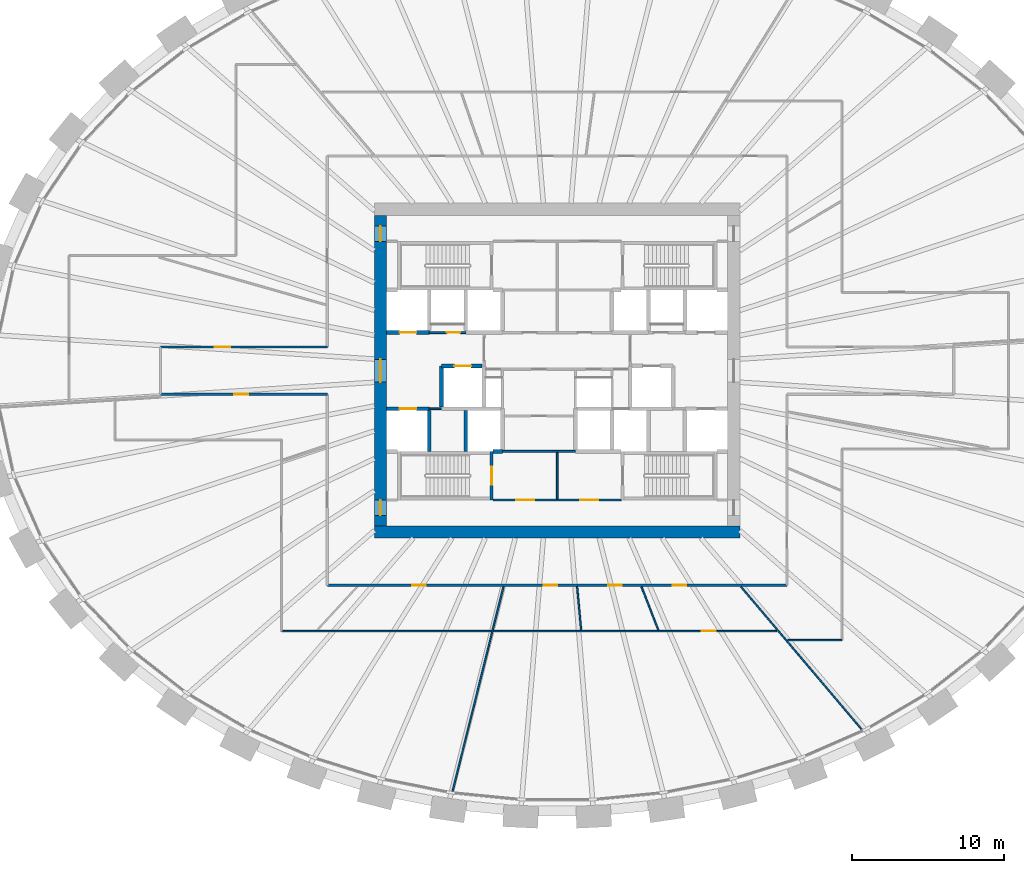
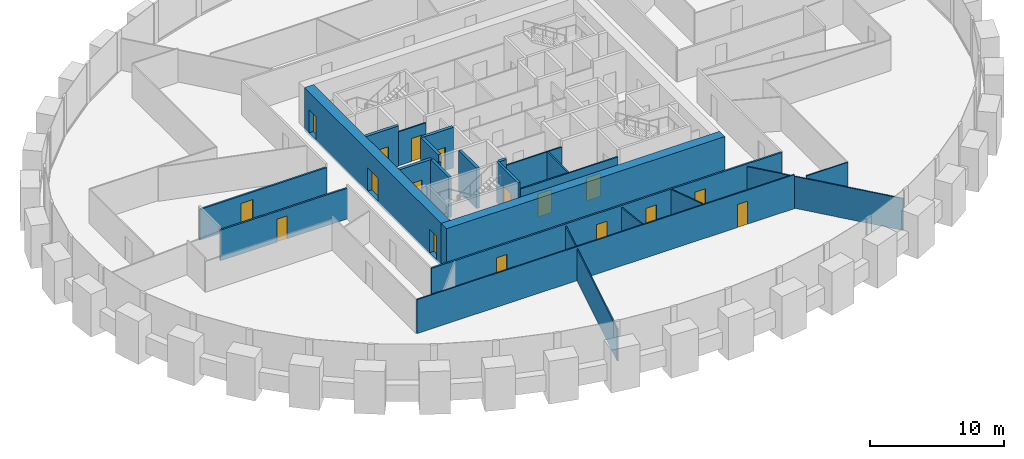
# One storey, part 6 of 10: 24 walls, 17 doors, 17 openings.
"""IFC4 building model written with IfcOpenShell, lengths in metres."""

from ifc_helpers import new_model, si_unit, direction, frame, frame_2d, origin, place, context, subcontext, project, spatial, rectangle, extrude, source, transform, mapped, material, layer, layer_set, type_object, element, fill, save


model = new_model("IFC4")

# Units and contexts
model_context = context("Model", 3, precision=1e-05, world=origin(), true_north=direction((0.0, 1.0)))
body_context = subcontext(model_context, "Body", "Model", "MODEL_VIEW")
ifc_project = project(units=[si_unit("LENGTHUNIT", "METRE"), si_unit("AREAUNIT", "SQUARE_METRE"), si_unit("VOLUMEUNIT", "CUBIC_METRE"), si_unit("PLANEANGLEUNIT", "RADIAN"), si_unit("MASSUNIT", "GRAM", prefix="KILO")], contexts=[model_context])

# Site, building, storey
site_placement = place(None, origin())
site = spatial("IfcSite", under=ifc_project, at=site_placement, CompositionType="ELEMENT")
building_placement = place(site_placement, origin())
building = spatial("IfcBuilding", under=site, at=building_placement, Name="Embergate Tower", CompositionType="ELEMENT")
storey_placement = place(building_placement, frame((0.0, 0.0, 152.10009765625)))
storey = spatial("IfcBuildingStorey", under=building, at=storey_placement, Name="L33", CompositionType="ELEMENT", Elevation=152.10009765625)

# Wall
ifc_material_1 = material(Name="Concrete C70", Category="concrete")
ifc_layer_1 = layer(ifc_material_1, 0.800048828125)
ifc_layer_set_1 = layer_set([ifc_layer_1], Name="Concrete C70")
wall_type_1 = type_object("IfcWallType", Name="Core outer wall C70 800", PredefinedType="SHEAR", material=ifc_layer_set_1)
shared_shape_1 = source(origin(), body_context, "Body", "SweptSolid", [
    extrude(rectangle(XDim=24.0, YDim=0.800048828125, at=frame_2d((12.0, 0.0))), origin(), (0.0, 0.0, 1.0), 3.900146484375),
])
wall_1_placement = place(storey_placement, frame((-12.0, -10.60009765625, -0.2001953125), z_axis=(0.0, 0.0, 1.0), x_axis=(1.0, 0.0, 0.0)))
element("IfcWall", 1, at=wall_1_placement, inside=storey, type_object=wall_type_1, Name="CW-L33-S", PredefinedType="SHEAR", context=body_context, shape_type="MappedRepresentation", body=[
    mapped(shared_shape_1, transform((0.0, 0.0, 0.0))),
])

# Wall, openings, doors
shared_shape_2 = source(origin(), body_context, "Body", "SweptSolid", [
    extrude(rectangle(XDim=20.39990234375, YDim=0.800048828125, at=frame_2d((10.199951171875, 0.0))), origin(), (0.0, 0.0, 1.0), 3.900146484375),
])
wall_2_placement = place(storey_placement, frame((-11.60009765625, -10.199951171875, -0.2001953125), z_axis=(0.0, 0.0, 1.0), x_axis=(0.0, 1.0, 0.0)))
wall_2 = element("IfcWall", 2, at=wall_2_placement, inside=storey, type_object=wall_type_1, Name="CW-L33-W", PredefinedType="SHEAR", context=body_context, shape_type="MappedRepresentation", body=[
    mapped(shared_shape_2, transform((0.0, 0.0, 0.0))),
])
shared_shape_3 = source(origin(), body_context, "Body", "SweptSolid", [
    extrude(rectangle(XDim=1.0, YDim=2.10009765625, at=frame_2d((0.5, 1.050048828125))), frame((0.0, 0.409912109375, 0.0), z_axis=(0.0, -1.0, 0.0), x_axis=(1.0, 0.0, 0.0)), (0.0, 0.0, 1.0), 0.820068359375),
])
opening_1_placement = place(wall_2_placement, frame((18.699951171875, 0.0, 0.199951171875)))
opening_1 = element("IfcOpeningElement", 3, at=opening_1_placement, cuts=wall_2, Name="Opening IF-1d", PredefinedType="OPENING", context=body_context, shape_type="MappedRepresentation", body=[
    mapped(shared_shape_3, transform((0.0, 0.0, 0.0))),
])
opening_2_placement = place(wall_2_placement, frame((0.699951171875, 0.0, 0.199951171875)))
opening_2 = element("IfcOpeningElement", 4, at=opening_2_placement, cuts=wall_2, Name="Opening IF-1d", PredefinedType="OPENING", context=body_context, shape_type="MappedRepresentation", body=[
    mapped(shared_shape_3, transform((0.0, 0.0, 0.0))),
])
shared_shape_4 = source(origin(), body_context, "Body", "SweptSolid", [
    extrude(rectangle(XDim=1.5, YDim=2.10009765625, at=frame_2d((0.75, 1.050048828125))), frame((0.0, 0.409912109375, 0.0), z_axis=(0.0, -1.0, 0.0), x_axis=(1.0, 0.0, 0.0)), (0.0, 0.0, 1.0), 0.820068359375),
])
opening_3_placement = place(wall_2_placement, frame((9.449951171875, 0.0, 0.199951171875)))
opening_3 = element("IfcOpeningElement", 5, at=opening_3_placement, cuts=wall_2, Name="Opening IF-3", PredefinedType="OPENING", context=body_context, shape_type="MappedRepresentation", body=[
    mapped(shared_shape_4, transform((0.0, 0.0, 0.0))),
])
ifc_material_2 = material(Name="Lobby fire door pair 1500")
door_type_1 = type_object("IfcDoorType", Name="Lobby fire door pair 1500", OperationType="DOUBLE_DOOR_SINGLE_SWING", PredefinedType="DOOR", material=ifc_material_2)
shared_shape_5 = source(origin(), body_context, "Body", "SweptSolid", [
    extrude(rectangle(XDim=1.5, YDim=2.10009765625, at=frame_2d((0.75, 1.050048828125))), frame((0.0, 0.02490234375, 0.0), z_axis=(0.0, -1.0, 0.0), x_axis=(1.0, 0.0, 0.0)), (0.0, 0.0, 1.0), 0.050048828125),
])
door_1_placement = place(opening_3_placement, origin())
door_1 = element("IfcDoor", 6, at=door_1_placement, inside=storey, type_object=door_type_1, Name="IF-3 door", OperationType="DOUBLE_DOOR_SINGLE_SWING", OverallHeight=2.10009765625, OverallWidth=1.5, PredefinedType="DOOR", context=body_context, shape_type="MappedRepresentation", body=[
    mapped(shared_shape_5, transform((0.0, 0.0, 0.0))),
])
fill(opening_3, door_1)
ifc_material_3 = material(Name="Escape fire door 1000")
door_type_2 = type_object("IfcDoorType", Name="Escape fire door 1000", OperationType="SINGLE_SWING_LEFT", PredefinedType="DOOR", material=ifc_material_3)
shared_shape_6 = source(origin(), body_context, "Body", "SweptSolid", [
    extrude(rectangle(XDim=1.0, YDim=2.10009765625, at=frame_2d((0.5, 1.050048828125))), frame((0.0, 0.02490234375, 0.0), z_axis=(0.0, -1.0, 0.0), x_axis=(1.0, 0.0, 0.0)), (0.0, 0.0, 1.0), 0.050048828125),
])
door_2_placement = place(opening_1_placement, origin())
door_2 = element("IfcDoor", 7, at=door_2_placement, inside=storey, type_object=door_type_2, Name="IF-1 door", OperationType="SINGLE_SWING_RIGHT", OverallHeight=2.10009765625, OverallWidth=1.0, PredefinedType="DOOR", context=body_context, shape_type="MappedRepresentation", body=[
    mapped(shared_shape_6, transform((0.0, 0.0, 0.0))),
])
fill(opening_1, door_2)
door_3_placement = place(opening_2_placement, origin())
door_3 = element("IfcDoor", 8, at=door_3_placement, inside=storey, type_object=door_type_2, Name="IF-1 door", OperationType="SINGLE_SWING_LEFT", OverallHeight=2.10009765625, OverallWidth=1.0, PredefinedType="DOOR", context=body_context, shape_type="MappedRepresentation", body=[
    mapped(shared_shape_6, transform((0.0, 0.0, 0.0))),
])
fill(opening_2, door_3)

# Wall, opening, door
ifc_material_4 = material(Name="Concrete C50", Category="concrete")
ifc_layer_2 = layer(ifc_material_4, 0.25)
ifc_layer_set_2 = layer_set([ifc_layer_2], Name="Concrete C50")
wall_type_2 = type_object("IfcWallType", Name="Hoistway wall reinforced concrete 250", PredefinedType="SHEAR", material=ifc_layer_set_2)
shared_shape_7 = source(origin(), body_context, "Body", "SweptSolid", [
    extrude(rectangle(XDim=2.675048828125, YDim=0.25, at=frame_2d((1.33740234375, 0.0))), origin(), (0.0, 0.0, 1.0), 3.699951171875),
])
wall_3_placement = place(storey_placement, frame((-4.925048828125, 0.300048828125, 0.0), z_axis=(0.0, 0.0, 1.0), x_axis=(-1.0, 0.0, 0.0)))
wall_3 = element("IfcWall", 9, at=wall_3_placement, inside=storey, type_object=wall_type_2, Name="HW-1 wall", PredefinedType="SHEAR", context=body_context, shape_type="MappedRepresentation", body=[
    mapped(shared_shape_7, transform((0.0, 0.0, 0.0))),
])
shared_shape_8 = source(origin(), body_context, "Body", "SweptSolid", [
    extrude(rectangle(XDim=1.10009765625, YDim=2.10009765625, at=frame_2d((0.550048828125, 1.050048828125))), frame((0.0, 0.135009765625, 0.0), z_axis=(0.0, -1.0, 0.0), x_axis=(1.0, 0.0, 0.0)), (0.0, 0.0, 1.0), 0.27001953125),
])
opening_4_placement = place(wall_3_placement, frame((0.72509765625, 0.0, 0.0)))
opening_4 = element("IfcOpeningElement", 10, at=opening_4_placement, cuts=wall_3, Name="Opening LD", PredefinedType="OPENING", context=body_context, shape_type="MappedRepresentation", body=[
    mapped(shared_shape_8, transform((0.0, 0.0, 0.0))),
])
ifc_material_5 = material(Name="Landing door sliding 1100")
door_type_3 = type_object("IfcDoorType", Name="Landing door sliding 1100", OperationType="SLIDING_TO_LEFT", PredefinedType="DOOR", material=ifc_material_5)
shared_shape_9 = source(origin(), body_context, "Body", "SweptSolid", [
    extrude(rectangle(XDim=1.10009765625, YDim=2.10009765625, at=frame_2d((0.550048828125, 1.050048828125))), frame((0.0, 0.02490234375, 0.0), z_axis=(0.0, -1.0, 0.0), x_axis=(1.0, 0.0, 0.0)), (0.0, 0.0, 1.0), 0.050048828125),
])
door_4_placement = place(opening_4_placement, origin())
door_4 = element("IfcDoor", 11, at=door_4_placement, inside=storey, type_object=door_type_3, Name="LD door", OperationType="SLIDING_TO_LEFT", OverallHeight=2.10009765625, OverallWidth=1.10009765625, PredefinedType="DOOR", context=body_context, shape_type="MappedRepresentation", body=[
    mapped(shared_shape_9, transform((0.0, 0.0, 0.0))),
])
fill(opening_4, door_4)

# Wall
wall_4_placement = place(storey_placement, frame((-7.60009765625, 0.300048828125, 0.0), z_axis=(0.0, 0.0, 1.0), x_axis=(0.0, -1.0, 0.0)))
element("IfcWall", 12, at=wall_4_placement, inside=storey, type_object=wall_type_2, Name="HW-1 wall", PredefinedType="SHEAR", context=body_context, shape_type="MappedRepresentation", body=[
    mapped(shared_shape_7, transform((0.0, 0.0, 0.0))),
])

# Wall, opening, door
ifc_layer_3 = layer(ifc_material_4, 0.199951171875)
ifc_layer_set_3 = layer_set([ifc_layer_3], Name="Concrete C50")
wall_type_3 = type_object("IfcWallType", Name="Stair enclosure wall reinforced concrete 250", PredefinedType="SHEAR", material=ifc_layer_set_3)
shared_shape_10 = source(origin(), body_context, "Body", "SweptSolid", [
    extrude(rectangle(XDim=3.199951171875, YDim=0.199951171875, at=frame_2d((1.60009765625, 0.0))), origin(), (0.0, 0.0, 1.0), 3.699951171875),
])
wall_5_placement = place(storey_placement, frame((-4.300048828125, -8.5, 0.0), z_axis=(0.0, 0.0, 1.0), x_axis=(0.0, 1.0, 0.0)))
wall_5 = element("IfcWall", 13, at=wall_5_placement, inside=storey, type_object=wall_type_3, Name="SE-1 wall", PredefinedType="SHEAR", context=body_context, shape_type="MappedRepresentation", body=[
    mapped(shared_shape_10, transform((0.0, 0.0, 0.0))),
])
shared_shape_11 = source(origin(), body_context, "Body", "SweptSolid", [
    extrude(rectangle(XDim=1.199951171875, YDim=2.10009765625, at=frame_2d((0.60009765625, 1.050048828125))), frame((0.0, 0.10986328125, 0.0), z_axis=(0.0, -1.0, 0.0), x_axis=(1.0, 0.0, 0.0)), (0.0, 0.0, 1.0), 0.219970703125),
])
opening_5_placement = place(wall_5_placement, frame((1.0, 0.0, 0.0)))
opening_5 = element("IfcOpeningElement", 14, at=opening_5_placement, cuts=wall_5, Name="Opening IF-2", PredefinedType="OPENING", context=body_context, shape_type="MappedRepresentation", body=[
    mapped(shared_shape_11, transform((0.0, 0.0, 0.0))),
])
ifc_material_6 = material(Name="Stair enclosure door 1200")
door_type_4 = type_object("IfcDoorType", Name="Stair enclosure door 1200", OperationType="SINGLE_SWING_LEFT", PredefinedType="DOOR", material=ifc_material_6)
shared_shape_12 = source(origin(), body_context, "Body", "SweptSolid", [
    extrude(rectangle(XDim=1.199951171875, YDim=2.10009765625, at=frame_2d((0.60009765625, 1.050048828125))), frame((0.0, 0.02490234375, 0.0), z_axis=(0.0, -1.0, 0.0), x_axis=(1.0, 0.0, 0.0)), (0.0, 0.0, 1.0), 0.050048828125),
])
door_5_placement = place(opening_5_placement, origin())
door_5 = element("IfcDoor", 15, at=door_5_placement, inside=storey, type_object=door_type_4, Name="IF-2 door", OperationType="SINGLE_SWING_LEFT", OverallHeight=2.10009765625, OverallWidth=1.199951171875, PredefinedType="DOOR", context=body_context, shape_type="MappedRepresentation", body=[
    mapped(shared_shape_12, transform((0.0, 0.0, 0.0))),
])
fill(opening_5, door_5)

# Wall, openings, doors
ifc_material_7 = material(Name="Core partition blockwork 120")
ifc_layer_4 = layer(ifc_material_7, 0.1201171875)
ifc_layer_set_4 = layer_set([ifc_layer_4], Name="Core partition blockwork 120")
wall_type_4 = type_object("IfcWallType", Name="Core partition blockwork 120", PredefinedType="PARTITIONING", material=ifc_layer_set_4)
shared_shape_13 = source(origin(), body_context, "Body", "SweptSolid", [
    extrude(rectangle(XDim=8.39990234375, YDim=0.1201171875, at=frame_2d((4.199951171875, 0.0))), origin(), (0.0, 0.0, 1.0), 3.099853515625),
])
wall_6_placement = place(storey_placement, frame((-4.199951171875, -8.5, 0.0), z_axis=(0.0, 0.0, 1.0), x_axis=(1.0, 0.0, 0.0)))
wall_6 = element("IfcWall", 16, at=wall_6_placement, inside=storey, type_object=wall_type_4, Name="IP-3 wall", PredefinedType="PARTITIONING", context=body_context, shape_type="MappedRepresentation", body=[
    mapped(shared_shape_13, transform((0.0, 0.0, 0.0))),
])
shared_shape_14 = source(origin(), body_context, "Body", "SweptSolid", [
    extrude(rectangle(XDim=1.199951171875, YDim=2.10009765625, at=frame_2d((0.60009765625, 1.050048828125))), frame((0.0, 0.070068359375, 0.0), z_axis=(0.0, -1.0, 0.0), x_axis=(1.0, 0.0, 0.0)), (0.0, 0.0, 1.0), 0.14013671875),
])
opening_6_placement = place(wall_6_placement, frame((1.5, 0.0, 0.0)))
opening_6 = element("IfcOpeningElement", 17, at=opening_6_placement, cuts=wall_6, Name="Opening IF-3f", PredefinedType="OPENING", context=body_context, shape_type="MappedRepresentation", body=[
    mapped(shared_shape_14, transform((0.0, 0.0, 0.0))),
])
opening_7_placement = place(wall_6_placement, frame((5.699951171875, 0.0, 0.0)))
opening_7 = element("IfcOpeningElement", 18, at=opening_7_placement, cuts=wall_6, Name="Opening IF-3f", PredefinedType="OPENING", context=body_context, shape_type="MappedRepresentation", body=[
    mapped(shared_shape_14, transform((0.0, 0.0, 0.0))),
])
ifc_material_8 = material(Name="Lobby fire door pair 1200")
door_type_5 = type_object("IfcDoorType", Name="Lobby fire door pair 1200", OperationType="DOUBLE_DOOR_SINGLE_SWING", PredefinedType="DOOR", material=ifc_material_8)
door_6_placement = place(opening_6_placement, origin())
door_6 = element("IfcDoor", 19, at=door_6_placement, inside=storey, type_object=door_type_5, Name="IF-3 door", OperationType="DOUBLE_DOOR_SINGLE_SWING", OverallHeight=2.10009765625, OverallWidth=1.199951171875, PredefinedType="DOOR", context=body_context, shape_type="MappedRepresentation", body=[
    mapped(shared_shape_12, transform((0.0, 0.0, 0.0))),
])
fill(opening_6, door_6)
door_7_placement = place(opening_7_placement, origin())
door_7 = element("IfcDoor", 20, at=door_7_placement, inside=storey, type_object=door_type_5, Name="IF-3 door", OperationType="DOUBLE_DOOR_SINGLE_SWING", OverallHeight=2.10009765625, OverallWidth=1.199951171875, PredefinedType="DOOR", context=body_context, shape_type="MappedRepresentation", body=[
    mapped(shared_shape_12, transform((0.0, 0.0, 0.0))),
])
fill(opening_7, door_7)

# Wall, opening, door
shared_shape_15 = source(origin(), body_context, "Body", "SweptSolid", [
    extrude(rectangle(XDim=2.800048828125, YDim=0.25, at=frame_2d((1.39990234375, 0.0))), origin(), (0.0, 0.0, 1.0), 3.699951171875),
])
wall_7_placement = place(storey_placement, frame((-11.199951171875, 2.5, 0.0), z_axis=(0.0, 0.0, 1.0), x_axis=(1.0, 0.0, 0.0)))
wall_7 = element("IfcWall", 21, at=wall_7_placement, inside=storey, type_object=wall_type_2, Name="HW-1 wall", PredefinedType="SHEAR", context=body_context, shape_type="MappedRepresentation", body=[
    mapped(shared_shape_15, transform((0.0, 0.0, 0.0))),
])
opening_8_placement = place(wall_7_placement, frame((0.85009765625, 0.0, 0.0)))
opening_8 = element("IfcOpeningElement", 22, at=opening_8_placement, cuts=wall_7, Name="Opening LD", PredefinedType="OPENING", context=body_context, shape_type="MappedRepresentation", body=[
    mapped(shared_shape_8, transform((0.0, 0.0, 0.0))),
])
door_8_placement = place(opening_8_placement, origin())
door_8 = element("IfcDoor", 23, at=door_8_placement, inside=storey, type_object=door_type_3, Name="LD door", OperationType="SLIDING_TO_RIGHT", OverallHeight=2.10009765625, OverallWidth=1.10009765625, PredefinedType="DOOR", context=body_context, shape_type="MappedRepresentation", body=[
    mapped(shared_shape_9, transform((0.0, 0.0, 0.0))),
])
fill(opening_8, door_8)

wall_8_placement = place(storey_placement, frame((-8.39990234375, -2.5, 0.0), z_axis=(0.0, 0.0, 1.0), x_axis=(-1.0, 0.0, 0.0)))
wall_8 = element("IfcWall", 24, at=wall_8_placement, inside=storey, type_object=wall_type_2, Name="HW-1 wall", PredefinedType="SHEAR", context=body_context, shape_type="MappedRepresentation", body=[
    mapped(shared_shape_15, transform((0.0, 0.0, 0.0))),
])
opening_9_placement = place(wall_8_placement, frame((0.85009765625, 0.0, 0.0)))
opening_9 = element("IfcOpeningElement", 25, at=opening_9_placement, cuts=wall_8, Name="Opening LD", PredefinedType="OPENING", context=body_context, shape_type="MappedRepresentation", body=[
    mapped(shared_shape_8, transform((0.0, 0.0, 0.0))),
])
door_9_placement = place(opening_9_placement, origin())
door_9 = element("IfcDoor", 26, at=door_9_placement, inside=storey, type_object=door_type_3, Name="LD door", OperationType="SLIDING_TO_RIGHT", OverallHeight=2.10009765625, OverallWidth=1.10009765625, PredefinedType="DOOR", context=body_context, shape_type="MappedRepresentation", body=[
    mapped(shared_shape_9, transform((0.0, 0.0, 0.0))),
])
fill(opening_9, door_9)

# Walls
shared_shape_16 = source(origin(), body_context, "Body", "SweptSolid", [
    extrude(rectangle(XDim=0.599853515625, YDim=0.25, at=frame_2d((0.2998046875, 0.0))), origin(), (0.0, 0.0, 1.0), 3.699951171875),
])
wall_9_placement = place(storey_placement, frame((-4.199951171875, -5.300048828125, 0.0), z_axis=(0.0, 0.0, 1.0), x_axis=(1.0, 0.0, 0.0)))
element("IfcWall", 27, at=wall_9_placement, inside=storey, type_object=wall_type_2, Name="HW-1 wall", PredefinedType="SHEAR", context=body_context, shape_type="MappedRepresentation", body=[
    mapped(shared_shape_16, transform((0.0, 0.0, 0.0))),
])
shared_shape_17 = source(origin(), body_context, "Body", "SweptSolid", [
    extrude(rectangle(XDim=2.671142578125, YDim=0.25, at=frame_2d((1.33544921875, 0.0))), origin(), (0.0, 0.0, 1.0), 3.699951171875),
])
for number, where, z_axis, x_axis, name in (
    (28, (-8.39990234375, -5.298095703125, 0.0), (0.0, 0.0, 1.0), (0.0, 1.0, 0.0), "HW-1 wall"),
    (29, (-6.0, -2.626953125, 0.0), (0.0, 0.0, 1.0), (0.0, -1.0, 0.0), "HW-1 wall"),
):
    element("IfcWall", number, at=place(storey_placement, frame(where, z_axis=z_axis, x_axis=x_axis)), inside=storey, type_object=wall_type_2, Name=name, PredefinedType="SHEAR", context=body_context, shape_type="MappedRepresentation", body=[
        mapped(shared_shape_17, transform((0.0, 0.0, 0.0))),
    ])

# Wall, opening, door
shared_shape_18 = source(origin(), body_context, "Body", "SweptSolid", [
    extrude(rectangle(XDim=2.39990234375, YDim=0.1201171875, at=frame_2d((1.199951171875, 0.0))), origin(), (0.0, 0.0, 1.0), 3.099853515625),
])
wall_10_placement = place(storey_placement, frame((-8.39990234375, 2.5, 0.0), z_axis=(0.0, 0.0, 1.0), x_axis=(1.0, 0.0, 0.0)))
wall_10 = element("IfcWall", 30, at=wall_10_placement, inside=storey, type_object=wall_type_4, Name="IP-3 wall", PredefinedType="PARTITIONING", context=body_context, shape_type="MappedRepresentation", body=[
    mapped(shared_shape_18, transform((0.0, 0.0, 0.0))),
])
shared_shape_19 = source(origin(), body_context, "Body", "SweptSolid", [
    extrude(rectangle(XDim=0.89990234375, YDim=2.10009765625, at=frame_2d((0.449951171875, 1.050048828125))), frame((0.0, 0.070068359375, 0.0), z_axis=(0.0, -1.0, 0.0), x_axis=(1.0, 0.0, 0.0)), (0.0, 0.0, 1.0), 0.14013671875),
])
opening_10_placement = place(wall_10_placement, frame((1.14990234375, 0.0, 0.0)))
opening_10 = element("IfcOpeningElement", 31, at=opening_10_placement, cuts=wall_10, Name="Opening ID-1", PredefinedType="OPENING", context=body_context, shape_type="MappedRepresentation", body=[
    mapped(shared_shape_19, transform((0.0, 0.0, 0.0))),
])
ifc_material_9 = material(Name="Interior door 900")
door_type_6 = type_object("IfcDoorType", Name="Interior door 900", OperationType="SINGLE_SWING_LEFT", PredefinedType="DOOR", material=ifc_material_9)
shared_shape_20 = source(origin(), body_context, "Body", "SweptSolid", [
    extrude(rectangle(XDim=0.89990234375, YDim=2.10009765625, at=frame_2d((0.449951171875, 1.050048828125))), frame((0.0, 0.02490234375, 0.0), z_axis=(0.0, -1.0, 0.0), x_axis=(1.0, 0.0, 0.0)), (0.0, 0.0, 1.0), 0.050048828125),
])
door_10_placement = place(opening_10_placement, origin())
door_10 = element("IfcDoor", 32, at=door_10_placement, inside=storey, type_object=door_type_6, Name="ID-1 door", OperationType="SINGLE_SWING_LEFT", OverallHeight=2.10009765625, OverallWidth=0.89990234375, PredefinedType="DOOR", context=body_context, shape_type="MappedRepresentation", body=[
    mapped(shared_shape_20, transform((0.0, 0.0, 0.0))),
])
fill(opening_10, door_10)

# Walls
shared_shape_21 = source(origin(), body_context, "Body", "SweptSolid", [
    extrude(rectangle(XDim=3.079833984375, YDim=0.1201171875, at=frame_2d((1.5400390625, 0.0))), origin(), (0.0, 0.0, 1.0), 3.099853515625),
])
wall_11_placement = place(storey_placement, frame((0.0, -8.43994140625, 0.0), z_axis=(0.0, 0.0, 1.0), x_axis=(0.0, 1.0, 0.0)))
element("IfcWall", 33, at=wall_11_placement, inside=storey, type_object=wall_type_4, Name="IP-3 wall", PredefinedType="PARTITIONING", context=body_context, shape_type="MappedRepresentation", body=[
    mapped(shared_shape_21, transform((0.0, 0.0, 0.0))),
])
shared_shape_22 = source(origin(), body_context, "Body", "SweptSolid", [
    extrude(rectangle(XDim=4.800048828125, YDim=0.1201171875, at=frame_2d((2.39990234375, 0.0))), origin(), (0.0, 0.0, 1.0), 3.099853515625),
])
wall_12_placement = place(storey_placement, frame((1.199951171875, -5.300048828125, 0.0), z_axis=(0.0, 0.0, 1.0), x_axis=(-1.0, 0.0, 0.0)))
element("IfcWall", 34, at=wall_12_placement, inside=storey, type_object=wall_type_4, Name="IP-3 wall", PredefinedType="PARTITIONING", context=body_context, shape_type="MappedRepresentation", body=[
    mapped(shared_shape_22, transform((0.0, 0.0, 0.0))),
])
shared_shape_23 = source(origin(), body_context, "Body", "SweptSolid", [
    extrude(rectangle(XDim=0.7958984375, YDim=0.1201171875, at=frame_2d((0.39794921875, 0.0))), origin(), (0.0, 0.0, 1.0), 3.099853515625),
])
wall_13_placement = place(storey_placement, frame((-8.39794921875, -2.5, 0.0), z_axis=(0.0, 0.0, 1.0), x_axis=(1.0, 0.0, 0.0)))
element("IfcWall", 35, at=wall_13_placement, inside=storey, type_object=wall_type_4, Name="IP-3 wall", PredefinedType="PARTITIONING", context=body_context, shape_type="MappedRepresentation", body=[
    mapped(shared_shape_23, transform((0.0, 0.0, 0.0))),
])

# Wall, opening, door
ifc_material_10 = material(Name="Corridor wall dry-lined 150")
ifc_layer_5 = layer(ifc_material_10, 0.14990234375)
ifc_layer_set_5 = layer_set([ifc_layer_5], Name="Corridor wall dry-lined 150")
wall_type_5 = type_object("IfcWallType", Name="Corridor wall dry-lined 150", PredefinedType="PARTITIONING", material=ifc_layer_set_5)
shared_shape_24 = source(origin(), body_context, "Body", "SweptSolid", [
    extrude(rectangle(XDim=10.949951171875, YDim=0.14990234375, at=frame_2d((5.47509765625, 0.0))), origin(), (0.0, 0.0, 1.0), 2.7998046875),
])
wall_14_placement = place(storey_placement, frame((-26.050048828125, -1.550048828125, 0.0), z_axis=(0.0, 0.0, 1.0), x_axis=(1.0, 0.0, 0.0)))
wall_14 = element("IfcWall", 36, at=wall_14_placement, inside=storey, type_object=wall_type_5, Name="IP-2 wall", PredefinedType="PARTITIONING", context=body_context, shape_type="MappedRepresentation", body=[
    mapped(shared_shape_24, transform((0.0, 0.0, 0.0))),
])
shared_shape_25 = source(origin(), body_context, "Body", "SweptSolid", [
    extrude(rectangle(XDim=0.89990234375, YDim=2.10009765625, at=frame_2d((0.449951171875, 1.050048828125))), frame((0.0, 0.0849609375, 0.0), z_axis=(0.0, -1.0, 0.0), x_axis=(1.0, 0.0, 0.0)), (0.0, 0.0, 1.0), 0.169921875),
])
opening_11_placement = place(wall_14_placement, frame((4.843017578125, 0.0, 0.0)))
opening_11 = element("IfcOpeningElement", 37, at=opening_11_placement, cuts=wall_14, Name="Opening IF-1c", PredefinedType="OPENING", context=body_context, shape_type="MappedRepresentation", body=[
    mapped(shared_shape_25, transform((0.0, 0.0, 0.0))),
])
ifc_material_11 = material(Name="Escape fire door 900")
door_type_7 = type_object("IfcDoorType", Name="Escape fire door 900", OperationType="SINGLE_SWING_LEFT", PredefinedType="DOOR", material=ifc_material_11)
door_11_placement = place(opening_11_placement, origin())
door_11 = element("IfcDoor", 38, at=door_11_placement, inside=storey, type_object=door_type_7, Name="IF-1 door", OperationType="SINGLE_SWING_RIGHT", OverallHeight=2.10009765625, OverallWidth=0.89990234375, PredefinedType="DOOR", context=body_context, shape_type="MappedRepresentation", body=[
    mapped(shared_shape_20, transform((0.0, 0.0, 0.0))),
])
fill(opening_11, door_11)

wall_15_placement = place(storey_placement, frame((-15.10009765625, 1.550048828125, 0.0), z_axis=(0.0, 0.0, 1.0), x_axis=(-1.0, 0.0, 0.0)))
wall_15 = element("IfcWall", 39, at=wall_15_placement, inside=storey, type_object=wall_type_5, Name="IP-2 wall", PredefinedType="PARTITIONING", context=body_context, shape_type="MappedRepresentation", body=[
    mapped(shared_shape_24, transform((0.0, 0.0, 0.0))),
])
shared_shape_26 = source(origin(), body_context, "Body", "SweptSolid", [
    extrude(rectangle(XDim=1.0, YDim=2.10009765625, at=frame_2d((0.5, 1.050048828125))), frame((0.0, 0.0849609375, 0.0), z_axis=(0.0, -1.0, 0.0), x_axis=(1.0, 0.0, 0.0)), (0.0, 0.0, 1.0), 0.169921875),
])
opening_12_placement = place(wall_15_placement, frame((6.376953125, 0.0, 0.0)))
opening_12 = element("IfcOpeningElement", 40, at=opening_12_placement, cuts=wall_15, Name="Opening ID-2", PredefinedType="OPENING", context=body_context, shape_type="MappedRepresentation", body=[
    mapped(shared_shape_26, transform((0.0, 0.0, 0.0))),
])
ifc_material_12 = material(Name="Interior door 1000")
door_type_8 = type_object("IfcDoorType", Name="Interior door 1000", OperationType="SINGLE_SWING_LEFT", PredefinedType="DOOR", material=ifc_material_12)
door_12_placement = place(opening_12_placement, origin())
door_12 = element("IfcDoor", 41, at=door_12_placement, inside=storey, type_object=door_type_8, Name="ID-2 door", OperationType="SINGLE_SWING_RIGHT", OverallHeight=2.10009765625, OverallWidth=1.0, PredefinedType="DOOR", context=body_context, shape_type="MappedRepresentation", body=[
    mapped(shared_shape_6, transform((0.0, 0.0, 0.0))),
])
fill(opening_12, door_12)

# Wall, openings, doors
shared_shape_27 = source(origin(), body_context, "Body", "SweptSolid", [
    extrude(rectangle(XDim=30.2001953125, YDim=0.14990234375, at=frame_2d((15.10009765625, 0.0))), origin(), (0.0, 0.0, 1.0), 3.099853515625),
])
wall_16_placement = place(storey_placement, frame((15.10009765625, -14.10009765625, 0.0), z_axis=(0.0, 0.0, 1.0), x_axis=(-1.0, 0.0, 0.0)))
wall_16 = element("IfcWall", 42, at=wall_16_placement, inside=storey, type_object=wall_type_5, Name="IP-2 wall", PredefinedType="PARTITIONING", context=body_context, shape_type="MappedRepresentation", body=[
    mapped(shared_shape_27, transform((0.0, 0.0, 0.0))),
])
opening_13_placement = place(wall_16_placement, frame((23.72900390625, 0.0, 0.0)))
opening_13 = element("IfcOpeningElement", 43, at=opening_13_placement, cuts=wall_16, Name="Opening IF-1c", PredefinedType="OPENING", context=body_context, shape_type="MappedRepresentation", body=[
    mapped(shared_shape_25, transform((0.0, 0.0, 0.0))),
])
opening_14_placement = place(wall_16_placement, frame((15.089111328125, 0.0, 0.0)))
opening_14 = element("IfcOpeningElement", 44, at=opening_14_placement, cuts=wall_16, Name="Opening IF-1c", PredefinedType="OPENING", context=body_context, shape_type="MappedRepresentation", body=[
    mapped(shared_shape_25, transform((0.0, 0.0, 0.0))),
])
opening_15_placement = place(wall_16_placement, frame((10.844970703125, 0.0, 0.0)))
opening_15 = element("IfcOpeningElement", 45, at=opening_15_placement, cuts=wall_16, Name="Opening IF-1c", PredefinedType="OPENING", context=body_context, shape_type="MappedRepresentation", body=[
    mapped(shared_shape_25, transform((0.0, 0.0, 0.0))),
])
opening_16_placement = place(wall_16_placement, frame((6.60888671875, 0.0, 0.0)))
opening_16 = element("IfcOpeningElement", 46, at=opening_16_placement, cuts=wall_16, Name="Opening IF-1c", PredefinedType="OPENING", context=body_context, shape_type="MappedRepresentation", body=[
    mapped(shared_shape_25, transform((0.0, 0.0, 0.0))),
])
door_13_placement = place(opening_13_placement, origin())
door_13 = element("IfcDoor", 47, at=door_13_placement, inside=storey, type_object=door_type_7, Name="IF-1 door", OperationType="SINGLE_SWING_LEFT", OverallHeight=2.10009765625, OverallWidth=0.89990234375, PredefinedType="DOOR", context=body_context, shape_type="MappedRepresentation", body=[
    mapped(shared_shape_20, transform((0.0, 0.0, 0.0))),
])
fill(opening_13, door_13)
door_14_placement = place(opening_14_placement, origin())
door_14 = element("IfcDoor", 48, at=door_14_placement, inside=storey, type_object=door_type_7, Name="IF-1 door", OperationType="SINGLE_SWING_LEFT", OverallHeight=2.10009765625, OverallWidth=0.89990234375, PredefinedType="DOOR", context=body_context, shape_type="MappedRepresentation", body=[
    mapped(shared_shape_20, transform((0.0, 0.0, 0.0))),
])
fill(opening_14, door_14)
door_15_placement = place(opening_15_placement, origin())
door_15 = element("IfcDoor", 49, at=door_15_placement, inside=storey, type_object=door_type_7, Name="IF-1 door", OperationType="SINGLE_SWING_RIGHT", OverallHeight=2.10009765625, OverallWidth=0.89990234375, PredefinedType="DOOR", context=body_context, shape_type="MappedRepresentation", body=[
    mapped(shared_shape_20, transform((0.0, 0.0, 0.0))),
])
fill(opening_15, door_15)
door_16_placement = place(opening_16_placement, origin())
door_16 = element("IfcDoor", 50, at=door_16_placement, inside=storey, type_object=door_type_7, Name="IF-1 door", OperationType="SINGLE_SWING_RIGHT", OverallHeight=2.10009765625, OverallWidth=0.89990234375, PredefinedType="DOOR", context=body_context, shape_type="MappedRepresentation", body=[
    mapped(shared_shape_20, transform((0.0, 0.0, 0.0))),
])
fill(opening_16, door_16)

# Wall, opening, door
ifc_material_13 = material(Name="Partition dry-lined 100")
ifc_layer_6 = layer(ifc_material_13, 0.10009765625)
ifc_layer_set_6 = layer_set([ifc_layer_6], Name="Partition dry-lined 100")
wall_type_6 = type_object("IfcWallType", Name="Partition dry-lined 100", PredefinedType="PARTITIONING", material=ifc_layer_set_6)
shared_shape_28 = source(origin(), body_context, "Body", "SweptSolid", [
    extrude(rectangle(XDim=32.51806640625, YDim=0.10009765625, at=frame_2d((16.259033203125, 0.0))), origin(), (0.0, 0.0, 1.0), 3.099853515625),
])
wall_17_placement = place(storey_placement, frame((14.41796875, -17.10009765625, 0.0), z_axis=(0.0, 0.0, 1.0), x_axis=(-1.0, 0.0, 0.0)))
wall_17 = element("IfcWall", 51, at=wall_17_placement, inside=storey, type_object=wall_type_6, Name="IP-1 wall", PredefinedType="PARTITIONING", context=body_context, shape_type="MappedRepresentation", body=[
    mapped(shared_shape_28, transform((0.0, 0.0, 0.0))),
])
shared_shape_29 = source(origin(), body_context, "Body", "SweptSolid", [
    extrude(rectangle(XDim=0.89990234375, YDim=2.10009765625, at=frame_2d((0.449951171875, 1.050048828125))), frame((0.0, 0.06005859375, 0.0), z_axis=(0.0, -1.0, 0.0), x_axis=(1.0, 0.0, 0.0)), (0.0, 0.0, 1.0), 0.1201171875),
])
opening_17_placement = place(wall_17_placement, frame((4.007080078125, 0.0, 0.0)))
opening_17 = element("IfcOpeningElement", 52, at=opening_17_placement, cuts=wall_17, Name="Opening ID-1", PredefinedType="OPENING", context=body_context, shape_type="MappedRepresentation", body=[
    mapped(shared_shape_29, transform((0.0, 0.0, 0.0))),
])
door_17_placement = place(opening_17_placement, origin())
door_17 = element("IfcDoor", 53, at=door_17_placement, inside=storey, type_object=door_type_6, Name="ID-1 door", OperationType="SINGLE_SWING_RIGHT", OverallHeight=2.10009765625, OverallWidth=0.89990234375, PredefinedType="DOOR", context=body_context, shape_type="MappedRepresentation", body=[
    mapped(shared_shape_20, transform((0.0, 0.0, 0.0))),
])
fill(opening_17, door_17)

# Walls
ifc_material_14 = material(Name="Partition dry-lined 100 wet")
ifc_layer_7 = layer(ifc_material_14, 0.10009765625)
ifc_layer_set_7 = layer_set([ifc_layer_7], Name="Partition dry-lined 100 wet")
wall_type_7 = type_object("IfcWallType", Name="Partition dry-lined 100 wet", PredefinedType="PLUMBINGWALL", material=ifc_layer_set_7)
shared_shape_30 = source(origin(), body_context, "Body", "SweptSolid", [
    extrude(rectangle(XDim=13.936279296875, YDim=0.10009765625, at=frame_2d((6.96826171875, 0.0))), origin(), (0.0, 0.0, 1.0), 2.89990234375),
])
wall_18_placement = place(storey_placement, frame((-3.52490234375, -14.18701171875, 0.0), z_axis=(0.0, 0.0, 1.0), x_axis=(-0.241175138203, -0.970481608642, 0.0)))
element("IfcWall", 54, at=wall_18_placement, inside=storey, type_object=wall_type_7, Name="IP-1 wall", PredefinedType="PLUMBINGWALL", context=body_context, shape_type="MappedRepresentation", body=[
    mapped(shared_shape_30, transform((0.0, 0.0, 0.0))),
])
shared_shape_31 = source(origin(), body_context, "Body", "SweptSolid", [
    extrude(rectangle(XDim=2.88720703125, YDim=0.10009765625, at=frame_2d((1.443603515625, 0.0))), origin(), (0.0, 0.0, 1.0), 2.89990234375),
])
wall_19_placement = place(storey_placement, frame((1.30908203125, -14.175048828125, 0.0), z_axis=(0.0, 0.0, 1.0), x_axis=(0.0920833196, -0.995751305423, 0.0)))
element("IfcWall", 55, at=wall_19_placement, inside=storey, type_object=wall_type_7, Name="IP-1 wall", PredefinedType="PLUMBINGWALL", context=body_context, shape_type="MappedRepresentation", body=[
    mapped(shared_shape_31, transform((0.0, 0.0, 0.0))),
])
shared_shape_32 = source(origin(), body_context, "Body", "SweptSolid", [
    extrude(rectangle(XDim=3.047119140625, YDim=0.10009765625, at=frame_2d((1.5234375, 0.0))), origin(), (0.0, 0.0, 1.0), 3.099853515625),
])
wall_20_placement = place(storey_placement, frame((5.534912109375, -14.193115234375, 0.0), z_axis=(0.0, 0.0, 1.0), x_axis=(0.363350839993, -0.931652385322, 0.0)))
element("IfcWall", 56, at=wall_20_placement, inside=storey, type_object=wall_type_7, Name="IP-1 wall", PredefinedType="PLUMBINGWALL", context=body_context, shape_type="MappedRepresentation", body=[
    mapped(shared_shape_32, transform((0.0, 0.0, 0.0))),
])
shared_shape_33 = source(origin(), body_context, "Body", "SweptSolid", [
    extrude(rectangle(XDim=12.37109375, YDim=0.10009765625, at=frame_2d((6.185546875, 0.0))), origin(), (0.0, 0.0, 1.0), 2.89990234375),
])
wall_21_placement = place(storey_placement, frame((20.077880859375, -23.635986328125, 0.0), z_axis=(0.0, 0.0, 1.0), x_axis=(-0.647375129587, 0.762171530295, 0.0)))
element("IfcWall", 57, at=wall_21_placement, inside=storey, type_object=wall_type_7, Name="IP-1 wall", PredefinedType="PLUMBINGWALL", context=body_context, shape_type="MappedRepresentation", body=[
    mapped(shared_shape_33, transform((0.0, 0.0, 0.0))),
])
shared_shape_34 = source(origin(), body_context, "Body", "SweptSolid", [
    extrude(rectangle(XDim=3.555908203125, YDim=0.10009765625, at=frame_2d((1.77783203125, 0.0))), origin(), (0.0, 0.0, 1.0), 3.099853515625),
])
wall_22_placement = place(storey_placement, frame((18.699951171875, -17.699951171875, 0.0), z_axis=(0.0, 0.0, 1.0), x_axis=(-1.0, 0.0, 0.0)))
element("IfcWall", 58, at=wall_22_placement, inside=storey, type_object=wall_type_6, Name="IP-1 wall", PredefinedType="PARTITIONING", context=body_context, shape_type="MappedRepresentation", body=[
    mapped(shared_shape_34, transform((0.0, 0.0, 0.0))),
])

save(model, "model.ifc")
